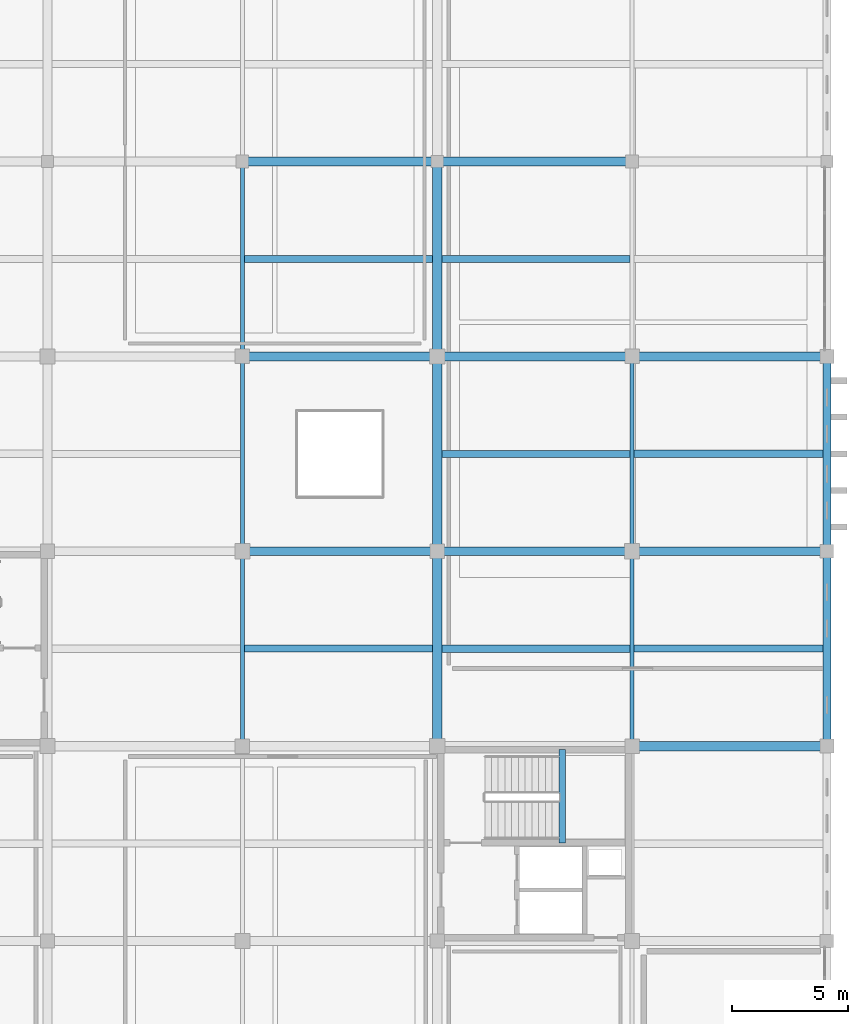
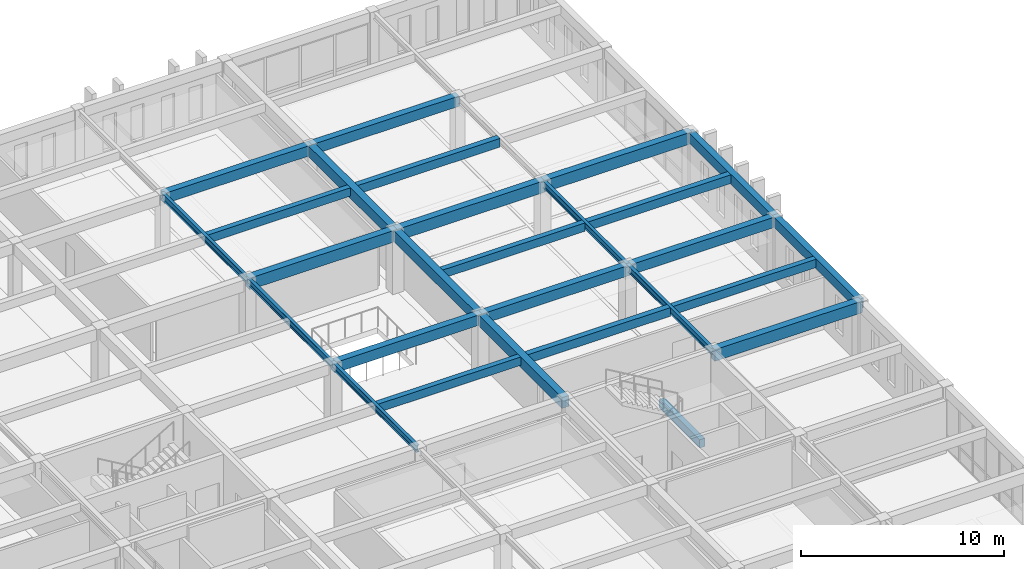
# One storey, part 20 of 47: 27 beams.
"""IFC4 building model written with IfcOpenShell, lengths in metres."""

from ifc_helpers import new_model, si_unit, direction, frame, origin, origin_2d, place, context, subcontext, project, spatial, rectangle, i_section, extrude, material, material_profile, profile_set, type_object, element, save


model = new_model("IFC4")

# Units and contexts
model_context = context("Model", 3, precision=1e-05, world=origin(), true_north=direction((0.0, 1.0)))
body_context = subcontext(model_context, "Body", "Model", "MODEL_VIEW")
ifc_project = project(units=[si_unit("LENGTHUNIT", "METRE"), si_unit("AREAUNIT", "SQUARE_METRE"), si_unit("VOLUMEUNIT", "CUBIC_METRE"), si_unit("PLANEANGLEUNIT", "RADIAN"), si_unit("MASSUNIT", "GRAM", prefix="KILO")], contexts=[model_context])

# Site, building, storey
site_placement = place(None, origin())
site = spatial("IfcSite", under=ifc_project, at=site_placement, CompositionType="ELEMENT")
building_placement = place(site_placement, origin())
building = spatial("IfcBuilding", under=site, at=building_placement, Name="Kveldsbrygga Polytechnic", CompositionType="ELEMENT")
storey_placement = place(building_placement, frame((0.0, 0.0, 13.93994140625)))
storey = spatial("IfcBuildingStorey", under=building, at=storey_placement, Name="L03", CompositionType="ELEMENT", Elevation=13.93994140625)

# Beams
ifc_material_1 = material(Name="Concrete C35/45", Category="concrete")
ifc_material_profile_1 = material_profile(ifc_material_1, rectangle(XDim=0.3798828125, YDim=0.6201171875, at=origin_2d()), Name="RC 380x620")
ifc_profile_set_1 = profile_set([ifc_material_profile_1], Name="Concrete C35/45")
beam_type_1 = type_object("IfcBeamType", Name="BM-RC-380x620", PredefinedType="BEAM", material=ifc_profile_set_1)
beam_1_placement = place(storey_placement, frame((142.800048828125, 92.39990234375, 3.43994140625), z_axis=(1.0, 0.0, 0.0), x_axis=(0.0, 1.0, 0.0)))
element("IfcBeam", 1, at=beam_1_placement, inside=storey, type_object=beam_type_1, Name="Primary Beam BMX-L03-17to18-11", PredefinedType="BEAM", context=body_context, shape_type="SweptSolid", body=[
    extrude(rectangle(XDim=0.3798828125, YDim=0.6201171875, at=origin_2d()), origin(), (0.0, 0.0, 1.0), 8.39990234375),
])
beam_2_placement = place(storey_placement, frame((151.199951171875, 92.39990234375, 3.43994140625), z_axis=(1.0, 0.0, 0.0), x_axis=(0.0, 1.0, 0.0)))
element("IfcBeam", 2, at=beam_2_placement, inside=storey, type_object=beam_type_1, Name="Primary Beam BMX-L03-18to19-11", PredefinedType="BEAM", context=body_context, shape_type="SweptSolid", body=[
    extrude(rectangle(XDim=0.3798828125, YDim=0.6201171875, at=origin_2d()), origin(), (0.0, 0.0, 1.0), 8.400146484375),
])
for number, where, z_axis, x_axis, name in (
    (3, (159.60009765625, 92.39990234375, 3.43994140625), (1.0, 0.0, 0.0), (0.0, 1.0, 0.0), "Primary Beam BMX-L03-19to20-11"),
    (4, (142.800048828125, 109.199951171875, 3.43994140625), (1.0, 0.0, 0.0), (0.0, 1.0, 0.0), "Primary Beam BMX-L03-17to18-13"),
):
    element("IfcBeam", number, at=place(storey_placement, frame(where, z_axis=z_axis, x_axis=x_axis)), inside=storey, type_object=beam_type_1, Name=name, PredefinedType="BEAM", context=body_context, shape_type="SweptSolid", body=[
        extrude(rectangle(XDim=0.3798828125, YDim=0.6201171875, at=origin_2d()), origin(), (0.0, 0.0, 1.0), 8.39990234375),
    ])
beam_3_placement = place(storey_placement, frame((151.199951171875, 109.199951171875, 3.43994140625), z_axis=(1.0, 0.0, 0.0), x_axis=(0.0, 1.0, 0.0)))
element("IfcBeam", 5, at=beam_3_placement, inside=storey, type_object=beam_type_1, Name="Primary Beam BMX-L03-18to19-13", PredefinedType="BEAM", context=body_context, shape_type="SweptSolid", body=[
    extrude(rectangle(XDim=0.3798828125, YDim=0.6201171875, at=origin_2d()), origin(), (0.0, 0.0, 1.0), 8.400146484375),
])
ifc_material_profile_2 = material_profile(ifc_material_1, rectangle(XDim=0.39990234375, YDim=0.64990234375, at=origin_2d()), Name="RC 400x650")
ifc_profile_set_2 = profile_set([ifc_material_profile_2], Name="Concrete C35/45")
beam_type_2 = type_object("IfcBeamType", Name="BM-RC-400x650", PredefinedType="BEAM", material=ifc_profile_set_2)
beam_4_placement = place(storey_placement, frame((151.199951171875, 84.0, 3.425048828125), z_axis=(0.0, 1.0, 0.0), x_axis=(-1.0, 0.0, 0.0)))
element("IfcBeam", 6, at=beam_4_placement, inside=storey, type_object=beam_type_2, Name="Primary Beam BMY-L03-18-10to11", PredefinedType="BEAM", context=body_context, shape_type="SweptSolid", body=[
    extrude(rectangle(XDim=0.39990234375, YDim=0.64990234375, at=origin_2d()), origin(), (0.0, 0.0, 1.0), 8.39990234375),
])
beam_5_placement = place(storey_placement, frame((151.199951171875, 92.39990234375, 3.425048828125), z_axis=(0.0, 1.0, 0.0), x_axis=(-1.0, 0.0, 0.0)))
element("IfcBeam", 7, at=beam_5_placement, inside=storey, type_object=beam_type_2, Name="Primary Beam BMY-L03-18-11to12", PredefinedType="BEAM", context=body_context, shape_type="SweptSolid", body=[
    extrude(rectangle(XDim=0.39990234375, YDim=0.64990234375, at=origin_2d()), origin(), (0.0, 0.0, 1.0), 8.400146484375),
])
beam_6_placement = place(storey_placement, frame((151.199951171875, 100.800048828125, 3.425048828125), z_axis=(0.0, 1.0, 0.0), x_axis=(-1.0, 0.0, 0.0)))
element("IfcBeam", 8, at=beam_6_placement, inside=storey, type_object=beam_type_2, Name="Primary Beam BMY-L03-18-12to13", PredefinedType="BEAM", context=body_context, shape_type="SweptSolid", body=[
    extrude(rectangle(XDim=0.39990234375, YDim=0.64990234375, at=origin_2d()), origin(), (0.0, 0.0, 1.0), 8.39990234375),
])
ifc_material_profile_3 = material_profile(ifc_material_1, rectangle(XDim=0.39990234375, YDim=0.699951171875, at=origin_2d()), Name="RC 400x700")
ifc_profile_set_3 = profile_set([ifc_material_profile_3], Name="Concrete C35/45")
beam_type_3 = type_object("IfcBeamType", Name="BM-RC-400x700", PredefinedType="BEAM", material=ifc_profile_set_3)
for number, where, z_axis, x_axis, name in (
    (9, (159.60009765625, 84.0, 3.400146484375), (1.0, 0.0, 0.0), (0.0, 1.0, 0.0), "Primary Beam BMX-L03-19to20-10"),
    (10, (142.800048828125, 100.800048828125, 3.400146484375), (1.0, 0.0, 0.0), (0.0, 1.0, 0.0), "Primary Beam BMX-L03-17to18-12"),
):
    element("IfcBeam", number, at=place(storey_placement, frame(where, z_axis=z_axis, x_axis=x_axis)), inside=storey, type_object=beam_type_3, Name=name, PredefinedType="BEAM", context=body_context, shape_type="SweptSolid", body=[
        extrude(rectangle(XDim=0.39990234375, YDim=0.699951171875, at=origin_2d()), origin(), (0.0, 0.0, 1.0), 8.39990234375),
    ])
beam_7_placement = place(storey_placement, frame((151.199951171875, 100.800048828125, 3.400146484375), z_axis=(1.0, 0.0, 0.0), x_axis=(0.0, 1.0, 0.0)))
element("IfcBeam", 11, at=beam_7_placement, inside=storey, type_object=beam_type_3, Name="Primary Beam BMX-L03-18to19-12", PredefinedType="BEAM", context=body_context, shape_type="SweptSolid", body=[
    extrude(rectangle(XDim=0.39990234375, YDim=0.699951171875, at=origin_2d()), origin(), (0.0, 0.0, 1.0), 8.400146484375),
])
beam_8_placement = place(storey_placement, frame((159.60009765625, 100.800048828125, 3.400146484375), z_axis=(1.0, 0.0, 0.0), x_axis=(0.0, 1.0, 0.0)))
element("IfcBeam", 12, at=beam_8_placement, inside=storey, type_object=beam_type_3, Name="Primary Beam BMX-L03-19to20-12", PredefinedType="BEAM", context=body_context, shape_type="SweptSolid", body=[
    extrude(rectangle(XDim=0.39990234375, YDim=0.699951171875, at=origin_2d()), origin(), (0.0, 0.0, 1.0), 8.39990234375),
])
ifc_material_profile_4 = material_profile(ifc_material_1, rectangle(XDim=0.35009765625, YDim=0.60009765625, at=origin_2d()), Name="RC 350x600")
ifc_profile_set_4 = profile_set([ifc_material_profile_4], Name="Concrete C35/45")
beam_type_4 = type_object("IfcBeamType", Name="BM-SPANDREL-600", PredefinedType="T_BEAM", material=ifc_profile_set_4)
beam_9_placement = place(storey_placement, frame((168.0, 84.0, 3.449951171875), z_axis=(0.0, 1.0, 0.0), x_axis=(-1.0, 0.0, 0.0)))
element("IfcBeam", 13, at=beam_9_placement, inside=storey, type_object=beam_type_4, Name="Primary Beam BMY-L03-20-10to11", PredefinedType="T_BEAM", context=body_context, shape_type="SweptSolid", body=[
    extrude(rectangle(XDim=0.35009765625, YDim=0.60009765625, at=origin_2d()), origin(), (0.0, 0.0, 1.0), 8.39990234375),
])
beam_10_placement = place(storey_placement, frame((168.0, 92.39990234375, 3.449951171875), z_axis=(0.0, 1.0, 0.0), x_axis=(-1.0, 0.0, 0.0)))
element("IfcBeam", 14, at=beam_10_placement, inside=storey, type_object=beam_type_4, Name="Primary Beam BMY-L03-20-11to12", PredefinedType="T_BEAM", context=body_context, shape_type="SweptSolid", body=[
    extrude(rectangle(XDim=0.35009765625, YDim=0.60009765625, at=origin_2d()), origin(), (0.0, 0.0, 1.0), 8.400146484375),
])
ifc_material_2 = material(Name="Steel S355", Category="steel")
ifc_material_profile_5 = material_profile(ifc_material_2, i_section(OverallWidth=0.179931640625, OverallDepth=0.39990234375, WebThickness=0.008544921875, FlangeThickness=0.013427734375, FilletRadius=0.02099609375, at=origin_2d()), Name="IPE 400")
ifc_profile_set_5 = profile_set([ifc_material_profile_5], Name="Steel S355")
beam_type_5 = type_object("IfcBeamType", Name="BM-STL-IPE400", PredefinedType="BEAM", material=ifc_profile_set_5)
beam_11_placement = place(storey_placement, frame((142.800048828125, 84.0, 3.550048828125), z_axis=(0.0, 1.0, 0.0), x_axis=(-1.0, 0.0, 0.0)))
element("IfcBeam", 15, at=beam_11_placement, inside=storey, type_object=beam_type_5, Name="Primary Beam BMY-L03-17-10to11", PredefinedType="BEAM", context=body_context, shape_type="SweptSolid", body=[
    extrude(i_section(OverallWidth=0.179931640625, OverallDepth=0.39990234375, WebThickness=0.008544921875, FlangeThickness=0.013427734375, FilletRadius=0.02099609375, at=origin_2d()), origin(), (0.0, 0.0, 1.0), 8.39990234375),
])
beam_12_placement = place(storey_placement, frame((142.800048828125, 92.39990234375, 3.550048828125), z_axis=(0.0, 1.0, 0.0), x_axis=(-1.0, 0.0, 0.0)))
element("IfcBeam", 16, at=beam_12_placement, inside=storey, type_object=beam_type_5, Name="Primary Beam BMY-L03-17-11to12", PredefinedType="BEAM", context=body_context, shape_type="SweptSolid", body=[
    extrude(i_section(OverallWidth=0.179931640625, OverallDepth=0.39990234375, WebThickness=0.008544921875, FlangeThickness=0.013427734375, FilletRadius=0.02099609375, at=origin_2d()), origin(), (0.0, 0.0, 1.0), 8.400146484375),
])
for number, where, z_axis, x_axis, name in (
    (17, (142.800048828125, 100.800048828125, 3.550048828125), (0.0, 1.0, 0.0), (-1.0, 0.0, 0.0), "Primary Beam BMY-L03-17-12to13"),
    (18, (159.60009765625, 84.0, 3.550048828125), (0.0, 1.0, 0.0), (-1.0, 0.0, 0.0), "Primary Beam BMY-L03-19-10to11"),
):
    element("IfcBeam", number, at=place(storey_placement, frame(where, z_axis=z_axis, x_axis=x_axis)), inside=storey, type_object=beam_type_5, Name=name, PredefinedType="BEAM", context=body_context, shape_type="SweptSolid", body=[
        extrude(i_section(OverallWidth=0.179931640625, OverallDepth=0.39990234375, WebThickness=0.008544921875, FlangeThickness=0.013427734375, FilletRadius=0.02099609375, at=origin_2d()), origin(), (0.0, 0.0, 1.0), 8.39990234375),
    ])
beam_13_placement = place(storey_placement, frame((159.60009765625, 92.39990234375, 3.550048828125), z_axis=(0.0, 1.0, 0.0), x_axis=(-1.0, 0.0, 0.0)))
element("IfcBeam", 19, at=beam_13_placement, inside=storey, type_object=beam_type_5, Name="Primary Beam BMY-L03-19-11to12", PredefinedType="BEAM", context=body_context, shape_type="SweptSolid", body=[
    extrude(i_section(OverallWidth=0.179931640625, OverallDepth=0.39990234375, WebThickness=0.008544921875, FlangeThickness=0.013427734375, FilletRadius=0.02099609375, at=origin_2d()), origin(), (0.0, 0.0, 1.0), 8.400146484375),
])
ifc_material_profile_6 = material_profile(ifc_material_1, rectangle(XDim=0.300048828125, YDim=0.5, at=origin_2d()), Name="RC 300x500")
ifc_profile_set_6 = profile_set([ifc_material_profile_6], Name="Concrete C35/45")
beam_type_6 = type_object("IfcBeamType", Name="JST-RC-300x500", PredefinedType="JOIST", material=ifc_profile_set_6)
for number, where, z_axis, x_axis, name in (
    (20, (142.889892578125, 88.199951171875, 3.5), (1.0, 0.0, 0.0), (0.0, 1.0, 0.0), "Secondary Joist JST-L03-17-10"),
    (21, (142.889892578125, 105.0, 3.5), (1.0, 0.0, 0.0), (0.0, 1.0, 0.0), "Secondary Joist JST-L03-17-12"),
    (22, (151.39990234375, 96.60009765625, 3.5), (1.0, 0.0, 0.0), (0.0, 1.0, 0.0), "Secondary Joist JST-L03-18-11"),
):
    element("IfcBeam", number, at=place(storey_placement, frame(where, z_axis=z_axis, x_axis=x_axis)), inside=storey, type_object=beam_type_6, Name=name, PredefinedType="JOIST", context=body_context, shape_type="SweptSolid", body=[
        extrude(rectangle(XDim=0.300048828125, YDim=0.5, at=origin_2d()), origin(), (0.0, 0.0, 1.0), 8.110107421875),
    ])
beam_14_placement = place(storey_placement, frame((159.68994140625, 88.199951171875, 3.5), z_axis=(1.0, 0.0, 0.0), x_axis=(0.0, 1.0, 0.0)))
element("IfcBeam", 23, at=beam_14_placement, inside=storey, type_object=beam_type_6, Name="Secondary Joist JST-L03-19-10", PredefinedType="JOIST", context=body_context, shape_type="SweptSolid", body=[
    extrude(rectangle(XDim=0.300048828125, YDim=0.5, at=origin_2d()), origin(), (0.0, 0.0, 1.0), 8.135009765625),
])
ifc_material_profile_7 = material_profile(ifc_material_1, rectangle(XDim=0.320068359375, YDim=0.52001953125, at=origin_2d()), Name="RC 320x520")
ifc_profile_set_7 = profile_set([ifc_material_profile_7], Name="Concrete C35/45")
beam_type_7 = type_object("IfcBeamType", Name="JST-RC-320x520", PredefinedType="JOIST", material=ifc_profile_set_7)
for number, where, z_axis, x_axis, name in (
    (24, (151.39990234375, 88.199951171875, 3.489990234375), (1.0, 0.0, 0.0), (0.0, 1.0, 0.0), "Secondary Joist JST-L03-18-10"),
    (25, (151.39990234375, 105.0, 3.489990234375), (1.0, 0.0, 0.0), (0.0, 1.0, 0.0), "Secondary Joist JST-L03-18-12"),
):
    element("IfcBeam", number, at=place(storey_placement, frame(where, z_axis=z_axis, x_axis=x_axis)), inside=storey, type_object=beam_type_7, Name=name, PredefinedType="JOIST", context=body_context, shape_type="SweptSolid", body=[
        extrude(rectangle(XDim=0.320068359375, YDim=0.52001953125, at=origin_2d()), origin(), (0.0, 0.0, 1.0), 8.110107421875),
    ])
beam_15_placement = place(storey_placement, frame((159.68994140625, 96.60009765625, 3.489990234375), z_axis=(1.0, 0.0, 0.0), x_axis=(0.0, 1.0, 0.0)))
element("IfcBeam", 26, at=beam_15_placement, inside=storey, type_object=beam_type_7, Name="Secondary Joist JST-L03-19-11", PredefinedType="JOIST", context=body_context, shape_type="SweptSolid", body=[
    extrude(rectangle(XDim=0.320068359375, YDim=0.52001953125, at=origin_2d()), origin(), (0.0, 0.0, 1.0), 8.135009765625),
])
ifc_material_profile_8 = material_profile(ifc_material_1, rectangle(XDim=0.300048828125, YDim=0.5, at=origin_2d()), Name="RC 300x500")
ifc_profile_set_8 = profile_set([ifc_material_profile_8], Name="Concrete C35/45")
beam_type_8 = type_object("IfcBeamType", Name="LNT-RC-300x500", PredefinedType="LINTEL", material=ifc_profile_set_8)
beam_16_placement = place(storey_placement, frame((156.590087890625, 79.830078125, 1.590087890625), z_axis=(0.0, 1.0, 0.0), x_axis=(-1.0, 0.0, 0.0)))
element("IfcBeam", 27, at=beam_16_placement, inside=storey, type_object=beam_type_8, Name="Stair Landing Support Beam C4-L03-LNDB-1-1", PredefinedType="LINTEL", context=body_context, shape_type="SweptSolid", body=[
    extrude(rectangle(XDim=0.300048828125, YDim=0.5, at=origin_2d()), origin(), (0.0, 0.0, 1.0), 4.02001953125),
])

save(model, "model.ifc")
